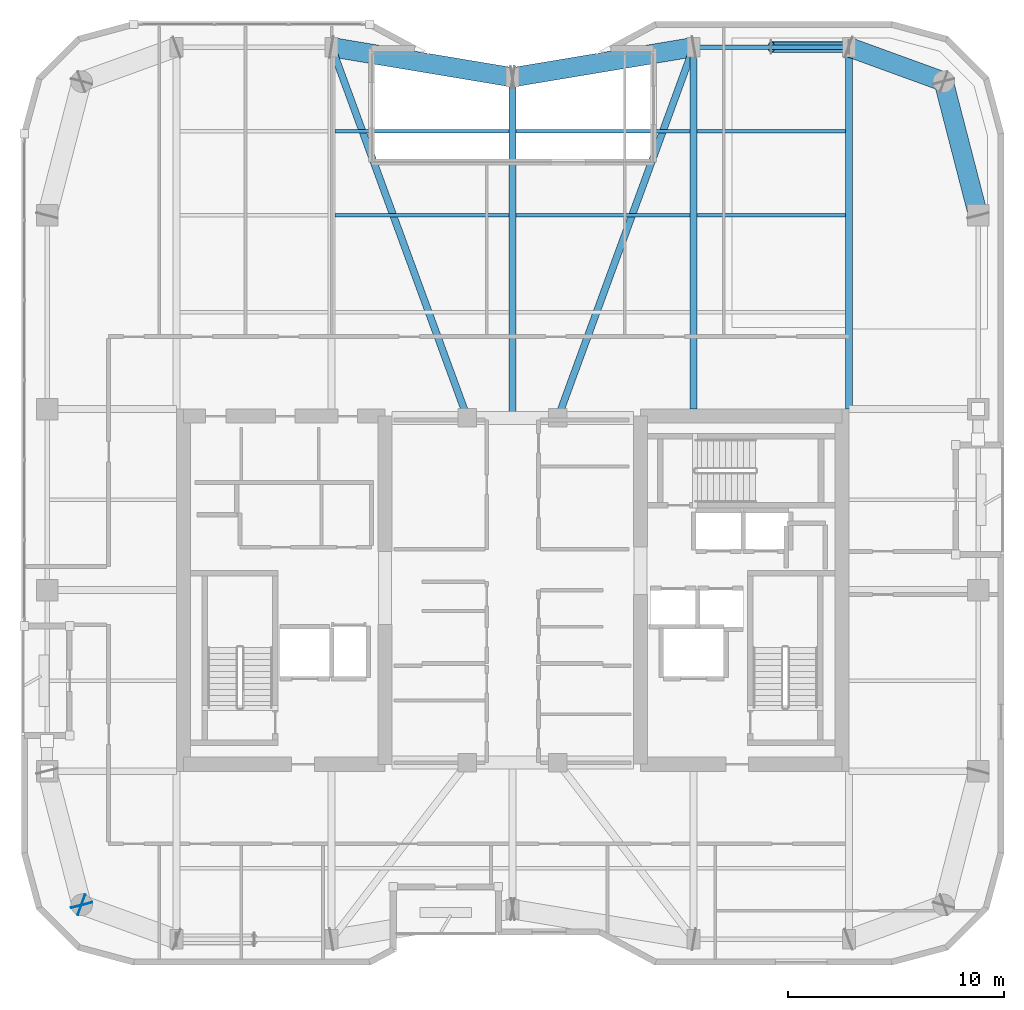
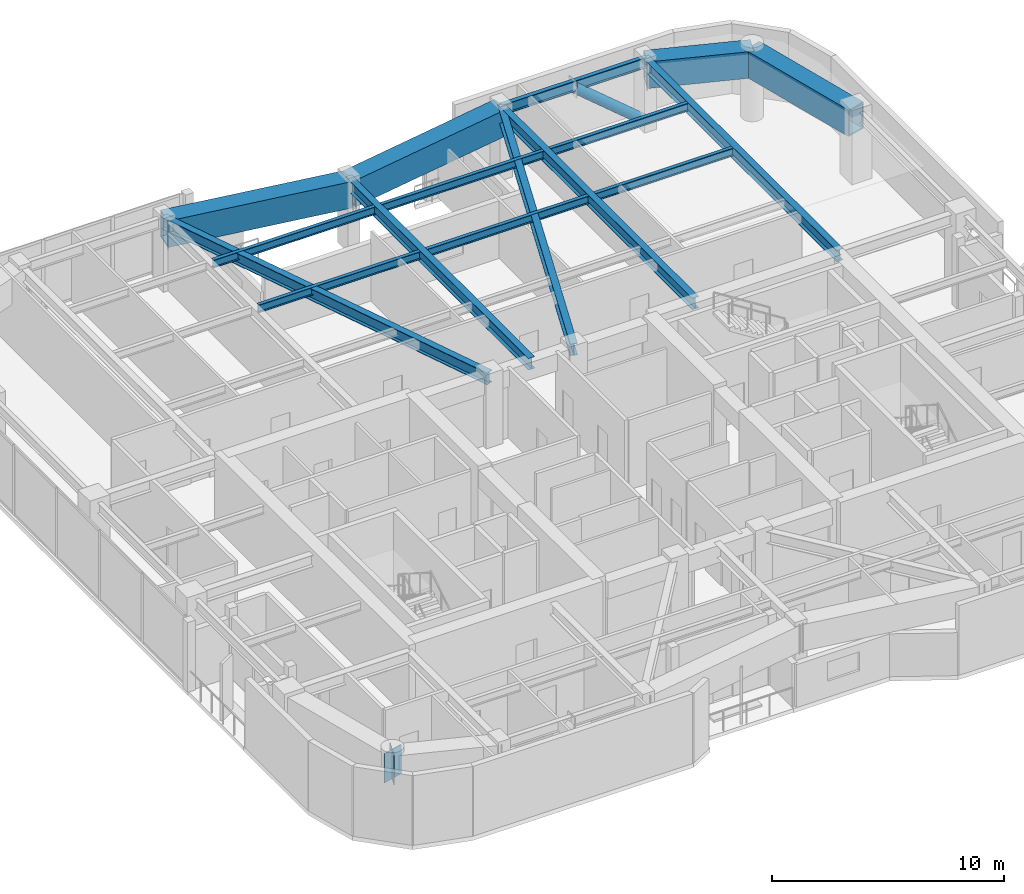
# One storey, part 11 of 22: 16 beams, 2 plates, 1 member.
"""IFC4 building model written with IfcOpenShell, lengths in metres."""

from ifc_helpers import new_model, si_unit, direction, frame, origin, origin_2d, place, context, subcontext, project, spatial, rectangle, hollow_rectangle, hollow_circle, i_section, extrude, material, layer, layer_set, material_profile, profile_set, type_object, element, save


model = new_model("IFC4")

# Units and contexts
model_context = context("Model", 3, precision=1e-05, world=origin(), true_north=direction((0.0, 1.0)))
body_context = subcontext(model_context, "Body", "Model", "MODEL_VIEW")
ifc_project = project(units=[si_unit("LENGTHUNIT", "METRE"), si_unit("AREAUNIT", "SQUARE_METRE"), si_unit("VOLUMEUNIT", "CUBIC_METRE"), si_unit("PLANEANGLEUNIT", "RADIAN"), si_unit("MASSUNIT", "GRAM", prefix="KILO")], contexts=[model_context])

# Site, building, storey
site_placement = place(None, origin())
site = spatial("IfcSite", under=ifc_project, at=site_placement, CompositionType="ELEMENT")
building_placement = place(site_placement, origin())
building = spatial("IfcBuilding", under=site, at=building_placement, Name="Kiyonajd Concourse Tower", CompositionType="ELEMENT")
storey_placement = place(building_placement, frame((0.0, 0.0, 243.300048828125)))
storey = spatial("IfcBuildingStorey", under=building, at=storey_placement, Name="L61", CompositionType="ELEMENT", Elevation=243.300048828125)

# Beams
ifc_material_1 = material(Name="Steel ASTM A992 Grade 50", Category="steel")
ifc_material_profile_1 = material_profile(ifc_material_1, i_section(OverallWidth=0.180908203125, OverallDepth=0.4169921875, WebThickness=0.010986328125, FlangeThickness=0.018310546875, at=origin_2d()), Name="W410X85")
ifc_profile_set_1 = profile_set([ifc_material_profile_1], Name="Steel ASTM A992 Grade 50")
beam_type_1 = type_object("IfcBeamType", Name="BM-JST-410", PredefinedType="JOIST", material=ifc_profile_set_1)
for number, where, z_axis, x_axis, name in (
    (1, (39.761962890625, 53.39990234375, 3.471435546875), (1.0, 0.0, 0.0), (0.0, 1.0, 0.0), "L61 Secondary Floor Joist"),
    (2, (48.162109375, 53.39990234375, 3.471435546875), (1.0, 0.0, 0.0), (0.0, 1.0, 0.0), "L61 Secondary Floor Joist"),
):
    element("IfcBeam", number, at=place(storey_placement, frame(where, z_axis=z_axis, x_axis=x_axis)), inside=storey, type_object=beam_type_1, Name=name, PredefinedType="JOIST", context=body_context, shape_type="SweptSolid", body=[
        extrude(i_section(OverallWidth=0.180908203125, OverallDepth=0.4169921875, WebThickness=0.010986328125, FlangeThickness=0.018310546875, at=origin_2d()), origin(), (0.0, 0.0, 1.0), 8.075927734375),
    ])
beam_1_placement = place(storey_placement, frame((56.56201171875, 53.39990234375, 3.471435546875), z_axis=(1.0, 0.0, 0.0), x_axis=(0.0, 1.0, 0.0)))
element("IfcBeam", 3, at=beam_1_placement, inside=storey, type_object=beam_type_1, Name="L61 Secondary Floor Joist", PredefinedType="JOIST", context=body_context, shape_type="SweptSolid", body=[
    extrude(i_section(OverallWidth=0.180908203125, OverallDepth=0.4169921875, WebThickness=0.010986328125, FlangeThickness=0.018310546875, at=origin_2d()), origin(), (0.0, 0.0, 1.0), 6.8759765625),
])
for number, where, z_axis, x_axis, name in (
    (4, (39.761962890625, 57.300048828125, 3.471435546875), (1.0, 0.0, 0.0), (0.0, 1.0, 0.0), "L61 Secondary Floor Joist"),
    (5, (48.162109375, 57.300048828125, 3.471435546875), (1.0, 0.0, 0.0), (0.0, 1.0, 0.0), "L61 Secondary Floor Joist"),
):
    element("IfcBeam", number, at=place(storey_placement, frame(where, z_axis=z_axis, x_axis=x_axis)), inside=storey, type_object=beam_type_1, Name=name, PredefinedType="JOIST", context=body_context, shape_type="SweptSolid", body=[
        extrude(i_section(OverallWidth=0.180908203125, OverallDepth=0.4169921875, WebThickness=0.010986328125, FlangeThickness=0.018310546875, at=origin_2d()), origin(), (0.0, 0.0, 1.0), 8.075927734375),
    ])
beam_2_placement = place(storey_placement, frame((56.56201171875, 57.300048828125, 3.471435546875), z_axis=(1.0, 0.0, 0.0), x_axis=(0.0, 1.0, 0.0)))
element("IfcBeam", 6, at=beam_2_placement, inside=storey, type_object=beam_type_1, Name="L61 Secondary Floor Joist", PredefinedType="JOIST", context=body_context, shape_type="SweptSolid", body=[
    extrude(i_section(OverallWidth=0.180908203125, OverallDepth=0.4169921875, WebThickness=0.010986328125, FlangeThickness=0.018310546875, at=origin_2d()), origin(), (0.0, 0.0, 1.0), 6.8759765625),
])
ifc_material_profile_2 = material_profile(ifc_material_1, i_section(OverallWidth=0.214111328125, OverallDepth=0.549072265625, WebThickness=0.0146484375, FlangeThickness=0.023681640625, at=origin_2d()), Name="W530X138")
ifc_profile_set_2 = profile_set([ifc_material_profile_2], Name="Steel ASTM A992 Grade 50")
beam_type_2 = type_object("IfcBeamType", Name="BM-SPAN-530A", PredefinedType="SPANDREL", material=ifc_profile_set_2)
beam_3_placement = place(storey_placement, frame((63.60009765625, 61.199951171875, 3.405517578125), z_axis=(-1.0, 0.0, 0.0), x_axis=(0.0, -1.0, 0.0)))
element("IfcBeam", 7, at=beam_3_placement, inside=storey, type_object=beam_type_2, Name="L61 Perimeter Bundled Tube Spandrel", PredefinedType="SPANDREL", context=body_context, shape_type="SweptSolid", body=[
    extrude(i_section(OverallWidth=0.214111328125, OverallDepth=0.549072265625, WebThickness=0.0146484375, FlangeThickness=0.023681640625, at=origin_2d()), origin(), (0.0, 0.0, 1.0), 7.2001953125),
])
ifc_material_profile_3 = material_profile(ifc_material_1, i_section(OverallWidth=0.326904296875, OverallDepth=0.6220703125, WebThickness=0.015380859375, FlangeThickness=0.0244140625, at=origin_2d()), Name="W610X195")
ifc_profile_set_3 = profile_set([ifc_material_profile_3], Name="Steel ASTM A992 Grade 50")
beam_type_3 = type_object("IfcBeamType", Name="BM-TWR-610A", PredefinedType="BEAM", material=ifc_profile_set_3)
for number, where, z_axis, x_axis, name in (
    (8, (39.60009765625, 61.199951171875, 3.368896484375), (0.343925269715, -0.938997022813, 0.0), (0.938997022813, 0.343925269715, 0.0), "L61 Core Tie Girder"),
    (9, (50.10009765625, 44.0, 3.368896484375), (0.343925269715, 0.938997022813, 0.0), (-0.938997022813, 0.343925269715, 0.0), "L61 Core Tie Girder"),
):
    element("IfcBeam", number, at=place(storey_placement, frame(where, z_axis=z_axis, x_axis=x_axis)), inside=storey, type_object=beam_type_3, Name=name, PredefinedType="BEAM", context=body_context, shape_type="SweptSolid", body=[
        extrude(i_section(OverallWidth=0.326904296875, OverallDepth=0.6220703125, WebThickness=0.015380859375, FlangeThickness=0.0244140625, at=origin_2d()), origin(), (0.0, 0.0, 1.0), 18.3173828125),
    ])
ifc_material_profile_4 = material_profile(ifc_material_1, i_section(OverallWidth=0.323974609375, OverallDepth=0.611083984375, WebThickness=0.0126953125, FlangeThickness=0.01904296875, at=origin_2d()), Name="W610X155")
ifc_profile_set_4 = profile_set([ifc_material_profile_4], Name="Steel ASTM A992 Grade 50")
beam_type_4 = type_object("IfcBeamType", Name="BM-TWR-610B", PredefinedType="BEAM", material=ifc_profile_set_4)
for number, where, z_axis, x_axis, name in (
    (10, (56.39990234375, 44.39990234375, 3.37451171875), (0.0, 1.0, 0.0), (-1.0, 0.0, 0.0), "L61 North Lease Girder"),
    (11, (63.60009765625, 44.39990234375, 3.37451171875), (0.0, 1.0, 0.0), (-1.0, 0.0, 0.0), "L61 North Lease Girder"),
):
    element("IfcBeam", number, at=place(storey_placement, frame(where, z_axis=z_axis, x_axis=x_axis)), inside=storey, type_object=beam_type_4, Name=name, PredefinedType="BEAM", context=body_context, shape_type="SweptSolid", body=[
        extrude(i_section(OverallWidth=0.323974609375, OverallDepth=0.611083984375, WebThickness=0.0126953125, FlangeThickness=0.01904296875, at=origin_2d()), origin(), (0.0, 0.0, 1.0), 16.800048828125),
    ])
beam_4_placement = place(storey_placement, frame((48.0, 44.0, 3.37451171875), z_axis=(0.0, 1.0, 0.0), x_axis=(-1.0, 0.0, 0.0)))
element("IfcBeam", 12, at=beam_4_placement, inside=storey, type_object=beam_type_4, Name="L61 North Ribbon Girder", PredefinedType="BEAM", context=body_context, shape_type="SweptSolid", body=[
    extrude(i_section(OverallWidth=0.323974609375, OverallDepth=0.611083984375, WebThickness=0.0126953125, FlangeThickness=0.01904296875, at=origin_2d()), origin(), (0.0, 0.0, 1.0), 15.800048828125),
])
ifc_material_2 = material(Name="Steel ASTM A572 Grade 50", Category="steel")
ifc_material_profile_5 = material_profile(ifc_material_2, hollow_rectangle(XDim=0.89990234375, YDim=1.39990234375, WallThickness=0.070068359375, at=origin_2d()), Name="BOX-1400x900x70")
ifc_profile_set_5 = profile_set([ifc_material_profile_5], Name="Steel ASTM A572 Grade 50")
beam_type_5 = type_object("IfcBeamType", Name="BM-XFER-1400", PredefinedType="BEAM", material=ifc_profile_set_5)
beam_5_placement = place(storey_placement, frame((69.60009765625, 53.39990234375, 2.97998046875), z_axis=(-0.249884937687, 0.968275538221, 0.0), x_axis=(-0.968275538221, -0.249884937687, 0.0)))
element("IfcBeam", 13, at=beam_5_placement, inside=storey, type_object=beam_type_5, Name="L61 Perimeter Bundled Tube Spandrel", PredefinedType="BEAM", context=body_context, shape_type="SweptSolid", body=[
    extrude(hollow_rectangle(XDim=0.89990234375, YDim=1.39990234375, WallThickness=0.070068359375, at=origin_2d()), origin(), (0.0, 0.0, 1.0), 6.4033203125),
])
beam_6_placement = place(storey_placement, frame((68.0, 59.60009765625, 2.97998046875), z_axis=(-0.939801036019, 0.341722127901, 0.0), x_axis=(-0.341722127901, -0.939801036019, 0.0)))
element("IfcBeam", 14, at=beam_6_placement, inside=storey, type_object=beam_type_5, Name="L61 Perimeter Bundled Tube Spandrel", PredefinedType="BEAM", context=body_context, shape_type="SweptSolid", body=[
    extrude(hollow_rectangle(XDim=0.89990234375, YDim=1.39990234375, WallThickness=0.070068359375, at=origin_2d()), origin(), (0.0, 0.0, 1.0), 4.681640625),
])
for number, where, z_axis, x_axis, name in (
    (15, (56.39990234375, 61.199951171875, 2.97998046875), (-0.986395473479, -0.164389689151, 0.0), (0.164389689151, -0.986395473479, 0.0), "L61 Perimeter Bundled Tube Spandrel"),
    (16, (48.0, 59.800048828125, 2.97998046875), (-0.986395473479, 0.164389689151, 0.0), (-0.164389689151, -0.986395473479, 0.0), "L61 Perimeter Bundled Tube Spandrel"),
):
    element("IfcBeam", number, at=place(storey_placement, frame(where, z_axis=z_axis, x_axis=x_axis)), inside=storey, type_object=beam_type_5, Name=name, PredefinedType="BEAM", context=body_context, shape_type="SweptSolid", body=[
        extrude(hollow_rectangle(XDim=0.89990234375, YDim=1.39990234375, WallThickness=0.070068359375, at=origin_2d()), origin(), (0.0, 0.0, 1.0), 8.515869140625),
    ])

# Member
ifc_material_3 = material(Name="Steel ASTM A500 Grade C", Category="steel")
ifc_material_profile_6 = material_profile(ifc_material_3, hollow_circle(Radius=0.25390625, WallThickness=0.02197265625, at=origin_2d()), Name="CHS-508x22")
ifc_profile_set_6 = profile_set([ifc_material_profile_6], Name="Steel ASTM A500 Grade C")
member_type = type_object("IfcMemberType", Name="MB-PB-MID", PredefinedType="BRACE", material=ifc_profile_set_6)
member_placement = place(storey_placement, frame((63.60009765625, 61.199951171875, 0.300048828125), z_axis=(-0.765107605277, 0.0, 0.643902440085), x_axis=(0.0, -1.0, 0.0)))
element("IfcMember", 17, at=member_placement, inside=storey, type_object=member_type, Name="L61 Upper Zone Hollow Tube Brace PBN", PredefinedType="BRACE", context=body_context, shape_type="SweptSolid", body=[
    extrude(hollow_circle(Radius=0.25390625, WallThickness=0.02197265625, at=origin_2d()), origin(), (0.0, 0.0, 1.0), 4.705322265625),
])

# Plates
ifc_layer = layer(ifc_material_2, 0.031982421875)
ifc_layer_set = layer_set([ifc_layer], Name="Steel ASTM A572 Grade 50")
plate_type = type_object("IfcPlateType", Name="PL-CAP-540", PredefinedType="USERDEFINED", material=ifc_layer_set)
for number, where, z_axis, x_axis, name in (
    (18, (28.002685546875, 21.389404296875, 2.2099609375), (0.0, 0.0, 1.0), (0.249873048837, -0.968278606324, 0.0), "L61 Welded Box Girder End Cap"),
    (19, (27.98974609375, 21.40380859375, 2.2099609375), (0.0, 0.0, 1.0), (-0.939811951086, 0.341692107891, 0.0), "L61 Welded Box Girder End Cap"),
):
    element("IfcPlate", number, at=place(storey_placement, frame(where, z_axis=z_axis, x_axis=x_axis)), inside=storey, type_object=plate_type, Name=name, ObjectType="CAP PLATE", PredefinedType="USERDEFINED", context=body_context, shape_type="SweptSolid", body=[
        extrude(rectangle(XDim=0.035888671875, YDim=1.02001953125, at=origin_2d()), origin(), (0.0, 0.0, 1.0), 1.5400390625),
    ])

save(model, "model.ifc")
